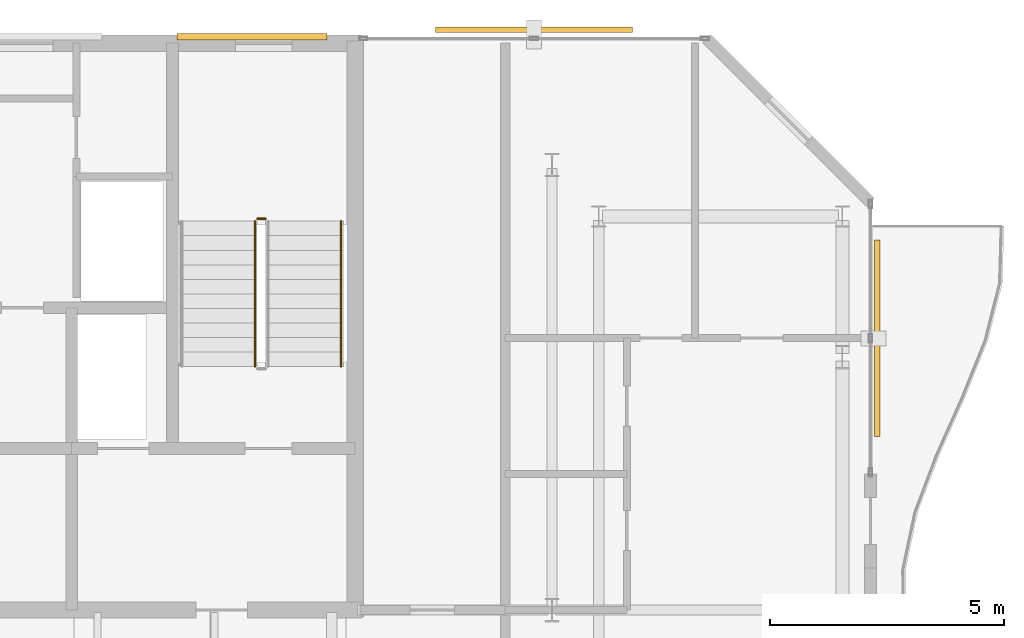
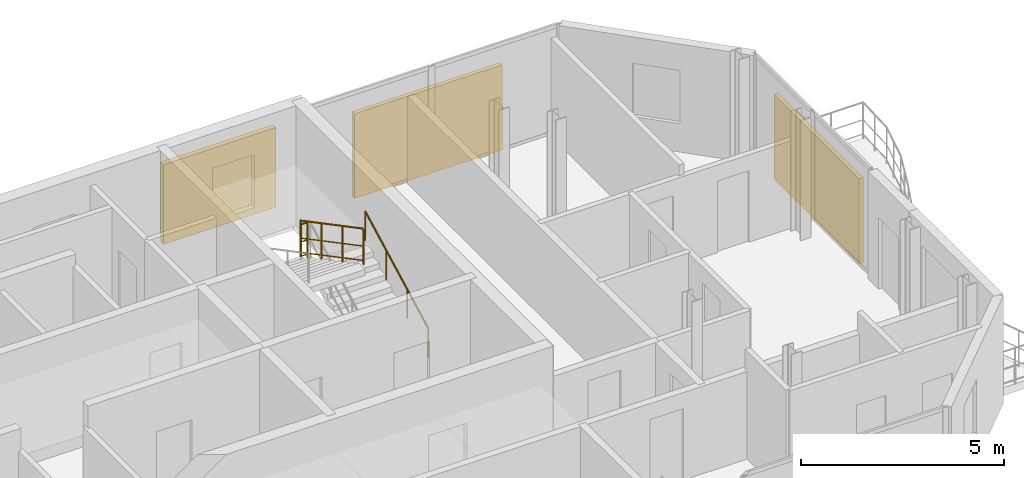
# One storey, part 23 of 23: 3 railings, 3 shading devices.
"""IFC4 building model written with IfcOpenShell, lengths in metres."""

from ifc_helpers import new_model, si_unit, direction, frame, origin, origin_2d, place, context, subcontext, project, spatial, rectangle, circle, extrude, material, type_object, element, save


model = new_model("IFC4")

# Units and contexts
model_context = context("Model", 3, precision=1e-05, world=origin(), true_north=direction((0.0, 1.0)))
body_context = subcontext(model_context, "Body", "Model", "MODEL_VIEW")
ifc_project = project(units=[si_unit("LENGTHUNIT", "METRE"), si_unit("AREAUNIT", "SQUARE_METRE"), si_unit("VOLUMEUNIT", "CUBIC_METRE"), si_unit("PLANEANGLEUNIT", "RADIAN"), si_unit("MASSUNIT", "GRAM", prefix="KILO")], contexts=[model_context])

# Site, building, storey
site_placement = place(None, origin())
site = spatial("IfcSite", under=ifc_project, at=site_placement, CompositionType="ELEMENT")
building_placement = place(site_placement, origin())
building = spatial("IfcBuilding", under=site, at=building_placement, Name="Catumbela Crestline Tower", CompositionType="ELEMENT")
storey_placement = place(building_placement, frame((0.0, 0.0, 204.6)))
storey = spatial("IfcBuildingStorey", under=building, at=storey_placement, Name="L53", CompositionType="ELEMENT", Elevation=204.6)

# Railings
ifc_material_1 = material(Name="Stainless steel EN 1.4401", Category="steel")
railing_type_1 = type_object("IfcRailingType", Name="RG-1100", PredefinedType="GUARDRAIL", material=ifc_material_1)
railing_1_placement = place(storey_placement, frame((38.09, 39.15, 1.8)))
element("IfcRailing", 1, at=railing_1_placement, inside=storey, type_object=railing_type_1, Name="L53 ST-02 stair guard 2", PredefinedType="GUARDRAIL", context=body_context, shape_type="SweptSolid", body=[
    extrude(circle(Radius=0.024, at=origin_2d()), frame((0.0, 0.0, 1.076), z_axis=(-1.0, 0.0, 0.0), x_axis=(0.0, -1.0, 0.0)), (0.0, 0.0, 1.0), 0.18),
    extrude(circle(Radius=0.0156, at=origin_2d()), frame((0.0, 0.0, 0.55), z_axis=(-1.0, 0.0, 0.0), x_axis=(0.0, -1.0, 0.0)), (0.0, 0.0, 1.0), 0.18),
    extrude(circle(Radius=0.0156, at=origin_2d()), frame((0.0, 0.0, 0.12), z_axis=(-1.0, 0.0, 0.0), x_axis=(0.0, -1.0, 0.0)), (0.0, 0.0, 1.0), 0.18),
    extrude(circle(Radius=0.021, at=origin_2d()), origin(), (0.0, 0.0, 1.0), 1.052),
    extrude(circle(Radius=0.021, at=origin_2d()), frame((-0.18, 0.0, 0.0)), (0.0, 0.0, 1.0), 1.052),
])
railing_2_placement = place(storey_placement, frame((37.86, 39.1, 1.9636)))
element("IfcRailing", 2, at=railing_2_placement, inside=storey, type_object=railing_type_1, Name="L53 ST-02 stair guard 3", PredefinedType="GUARDRAIL", context=body_context, shape_type="SweptSolid", body=[
    extrude(circle(Radius=0.024, at=origin_2d()), frame((0.0, 0.0, 1.076), z_axis=(0.0, -0.884350731049, 0.466823076222), x_axis=(1.0, 0.0, 0.0)), (0.0, 0.0, 1.0), 3.5054),
    extrude(circle(Radius=0.0156, at=origin_2d()), frame((0.0, 0.0, 0.55), z_axis=(0.0, -0.884350731049, 0.466823076222), x_axis=(1.0, 0.0, 0.0)), (0.0, 0.0, 1.0), 3.5054),
    extrude(circle(Radius=0.0156, at=origin_2d()), frame((0.0, 0.0, 0.12), z_axis=(0.0, -0.884350731049, 0.466823076222), x_axis=(1.0, 0.0, 0.0)), (0.0, 0.0, 1.0), 3.5054),
    extrude(circle(Radius=0.021, at=origin_2d()), origin(), (0.0, 0.0, 1.0), 1.052),
    extrude(circle(Radius=0.021, at=origin_2d()), frame((0.0, -1.0333, 0.5455)), (0.0, 0.0, 1.0), 1.052),
    extrude(circle(Radius=0.021, at=origin_2d()), frame((0.0, -2.0667, 1.0909)), (0.0, 0.0, 1.0), 1.052),
    extrude(circle(Radius=0.021, at=origin_2d()), frame((0.0, -3.1, 1.6364)), (0.0, 0.0, 1.0), 1.052),
])
railing_type_2 = type_object("IfcRailingType", Name="RH-0900", PredefinedType="HANDRAIL", material=ifc_material_1)
railing_3_placement = place(storey_placement, frame((39.7, 36.0, 0.1636)))
element("IfcRailing", 3, at=railing_3_placement, inside=storey, type_object=railing_type_2, Name="L53 ST-02 stair handrail 1", PredefinedType="HANDRAIL", context=body_context, shape_type="SweptSolid", body=[
    extrude(circle(Radius=0.024, at=origin_2d()), frame((0.0, 0.0, 0.876), z_axis=(0.0, 0.884350731049, 0.466823076222), x_axis=(-1.0, 0.0, 0.0)), (0.0, 0.0, 1.0), 3.5054),
    extrude(circle(Radius=0.021, at=origin_2d()), origin(), (0.0, 0.0, 1.0), 0.852),
    extrude(circle(Radius=0.021, at=origin_2d()), frame((0.0, 1.0333, 0.5455)), (0.0, 0.0, 1.0), 0.852),
    extrude(circle(Radius=0.021, at=origin_2d()), frame((0.0, 2.0667, 1.0909)), (0.0, 0.0, 1.0), 0.852),
    extrude(circle(Radius=0.021, at=origin_2d()), frame((0.0, 3.1, 1.6364)), (0.0, 0.0, 1.0), 0.852),
])

# Shading devices
ifc_material_2 = material(Name="Extruded terracotta ceramic", Category="masonry")
shading_device_type_1 = type_object("IfcShadingDeviceType", Name="ST-180", PredefinedType="USERDEFINED", material=ifc_material_2)
shading_device_1_placement = place(storey_placement, frame((37.8, 43.04, 0.55), z_axis=(0.0, 0.0, 1.0), x_axis=(1.0, 0.0, 0.0)))
element("IfcShadingDevice", 4, at=shading_device_1_placement, inside=storey, type_object=shading_device_type_1, Name="L53 Rear Core Terracotta Brise-Soleil Screen 639", ObjectType="SCREEN", PredefinedType="USERDEFINED", context=body_context, shape_type="SweptSolid", body=[
    extrude(rectangle(XDim=3.2, YDim=0.14, at=origin_2d()), origin(), (0.0, 0.0, 1.0), 2.4),
])
shading_device_type_2 = type_object("IfcShadingDeviceType", Name="ST-260", PredefinedType="USERDEFINED", material=ifc_material_2)
shading_device_2_placement = place(storey_placement, frame((51.143, 36.6, -0.1), z_axis=(0.0, 0.0, 1.0), x_axis=(0.0, 1.0, 0.0)))
element("IfcShadingDevice", 5, at=shading_device_2_placement, inside=storey, type_object=shading_device_type_2, Name="L53 Perforated Terracotta Solar Screen 646 (260 mm)", ObjectType="SCREEN", PredefinedType="USERDEFINED", context=body_context, shape_type="SweptSolid", body=[
    extrude(rectangle(XDim=4.2, YDim=0.12, at=origin_2d()), origin(), (0.0, 0.0, 1.0), 2.55),
])
shading_device_type_3 = type_object("IfcShadingDeviceType", Name="ST-340", PredefinedType="USERDEFINED", material=ifc_material_2)
shading_device_3_placement = place(storey_placement, frame((43.82, 43.187, -0.1), z_axis=(0.0, 0.0, 1.0), x_axis=(-1.0, 0.0, 0.0)))
element("IfcShadingDevice", 6, at=shading_device_3_placement, inside=storey, type_object=shading_device_type_3, Name="L53 Perforated Terracotta Solar Screen 647 (340 mm)", ObjectType="SCREEN", PredefinedType="USERDEFINED", context=body_context, shape_type="SweptSolid", body=[
    extrude(rectangle(XDim=4.2, YDim=0.12, at=origin_2d()), origin(), (0.0, 0.0, 1.0), 2.55),
])

save(model, "model.ifc")
